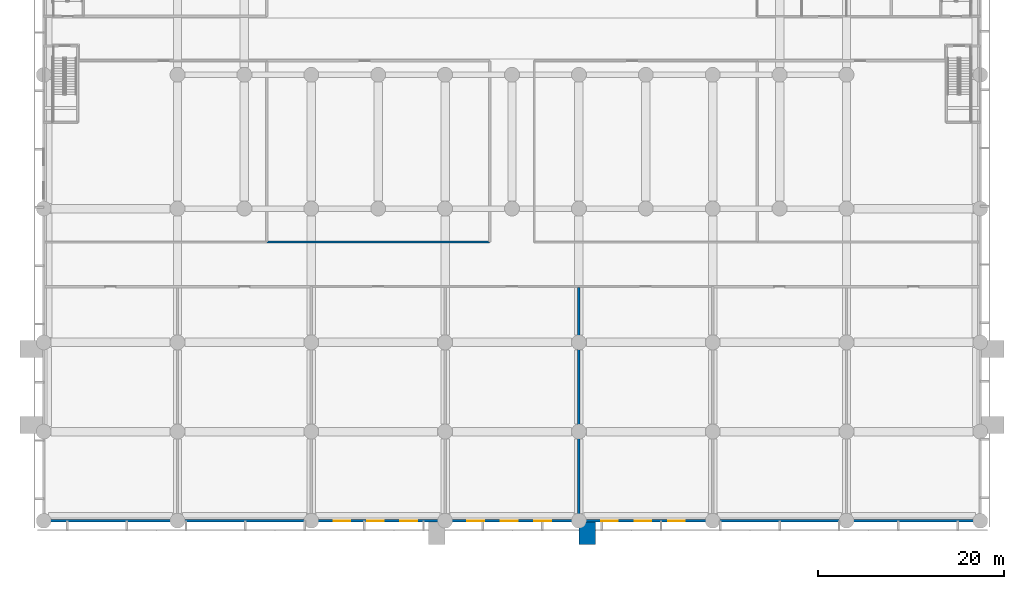
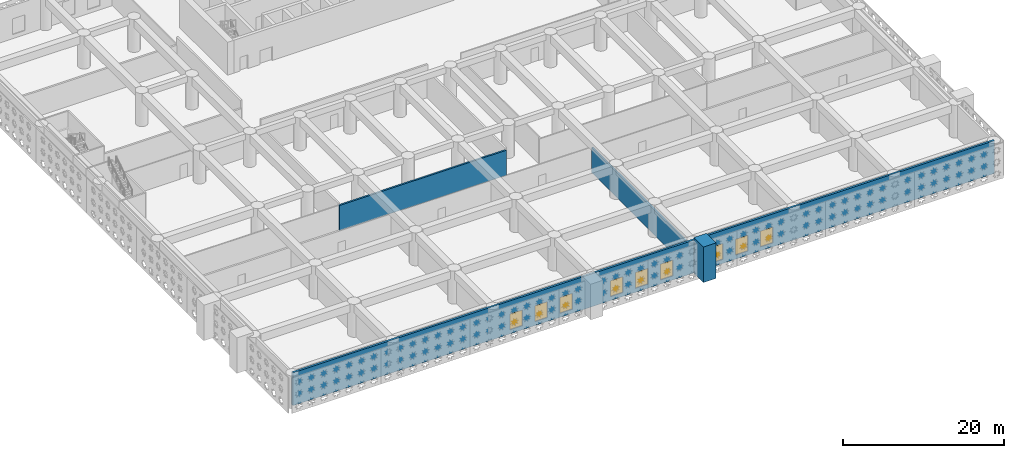
# One storey, part 4 of 30: 9 windows, 4 walls, 9 openings.
"""IFC4 building model written with IfcOpenShell, lengths in metres."""

from ifc_helpers import new_model, si_unit, direction, frame, frame_2d, origin, origin_with_axes, place, context, subcontext, project, spatial, rectangle, extrude, material, layer, layer_set, type_object, element, fill, save


model = new_model("IFC4")

# Units and contexts
model_context = context("Model", 3, precision=1e-05, world=origin(), true_north=direction((0.0, 1.0)))
body_context = subcontext(model_context, "Body", "Model", "MODEL_VIEW")
ifc_project = project(units=[si_unit("LENGTHUNIT", "METRE"), si_unit("AREAUNIT", "SQUARE_METRE"), si_unit("VOLUMEUNIT", "CUBIC_METRE"), si_unit("PLANEANGLEUNIT", "RADIAN"), si_unit("MASSUNIT", "GRAM", prefix="KILO")], contexts=[model_context])

# Site, building, storey
site_placement = place(None, origin())
site = spatial("IfcSite", under=ifc_project, at=site_placement, CompositionType="ELEMENT")
building_placement = place(site_placement, origin())
building = spatial("IfcBuilding", under=site, at=building_placement, Name="Saffron Iwan Residences", CompositionType="ELEMENT")
storey_placement = place(building_placement, frame((0.0, 0.0, 7.800048828125)))
storey = spatial("IfcBuildingStorey", under=building, at=storey_placement, Name="L01", CompositionType="ELEMENT", Elevation=7.800048828125)

# Walls
ifc_material_1 = material(Name="Concrete C40/50", Category="concrete")
ifc_layer_1 = layer(ifc_material_1, 0.25)
ifc_layer_set_1 = layer_set([ifc_layer_1], Name="Concrete C40/50")
wall_type_1 = type_object("IfcWallType", Name="Fire compartment wall 250", PredefinedType="SOLIDWALL", material=ifc_layer_set_1)
wall_1_placement = place(storey_placement, frame((24.0, 30.0, 0.0), z_axis=(0.0, 0.0, 1.0), x_axis=(1.0, 0.0, 0.0)))
element("IfcWall", 1, at=wall_1_placement, inside=storey, type_object=wall_type_1, Name="W-L01-007", PredefinedType="SOLIDWALL", context=body_context, shape_type="SweptSolid", body=[
    extrude(rectangle(XDim=24.0, YDim=0.25, at=frame_2d((12.0, 0.0))), origin(), (0.0, 0.0, 1.0), 3.800048828125),
])
wall_2_placement = place(storey_placement, frame((57.60009765625, 0.14990234375, 0.0), z_axis=(0.0, 0.0, 1.0), x_axis=(0.0, 1.0, 0.0)))
element("IfcWall", 2, at=wall_2_placement, inside=storey, type_object=wall_type_1, Name="W-L01-043", PredefinedType="SOLIDWALL", context=body_context, shape_type="SweptSolid", body=[
    extrude(rectangle(XDim=24.97509765625, YDim=0.25, at=frame_2d((12.487548828125, 0.0))), origin(), (0.0, 0.0, 1.0), 3.800048828125),
])

# Wall, openings, windows
ifc_material_2 = material(Name="Precast concrete C40/50", Category="concrete")
ifc_layer_2 = layer(ifc_material_2, 0.300048828125)
ifc_layer_set_2 = layer_set([ifc_layer_2], Name="Precast concrete C40/50")
wall_type_2 = type_object("IfcWallType", Name="Podium external wall 300", PredefinedType="SOLIDWALL", material=ifc_layer_set_2)
wall_3_placement = place(storey_placement, origin_with_axes())
wall_3 = element("IfcWall", 3, at=wall_3_placement, inside=storey, type_object=wall_type_2, Name="W-L01-001", PredefinedType="SOLIDWALL", context=body_context, shape_type="SweptSolid", body=[
    extrude(rectangle(XDim=100.800048828125, YDim=0.300048828125, at=frame_2d((50.39990234375, 0.0))), origin(), (0.0, 0.0, 1.0), 5.0),
])
opening_1_placement = place(wall_3_placement, frame((31.199951171875, 0.0, 0.60009765625)))
opening_1 = element("IfcOpeningElement", 4, at=opening_1_placement, cuts=wall_3, Name="Opening W7", PredefinedType="OPENING", context=body_context, shape_type="SweptSolid", body=[
    extrude(rectangle(XDim=1.800048828125, YDim=2.39990234375, at=frame_2d((0.89990234375, 1.199951171875))), frame((0.0, 0.16015625, 0.0), z_axis=(0.0, -1.0, 0.0), x_axis=(1.0, 0.0, 0.0)), (0.0, 0.0, 1.0), 0.320068359375),
])
opening_2_placement = place(wall_3_placement, frame((34.800048828125, 0.0, 0.60009765625)))
opening_2 = element("IfcOpeningElement", 5, at=opening_2_placement, cuts=wall_3, Name="Opening W7", PredefinedType="OPENING", context=body_context, shape_type="SweptSolid", body=[
    extrude(rectangle(XDim=1.800048828125, YDim=2.39990234375, at=frame_2d((0.89990234375, 1.199951171875))), frame((0.0, 0.16015625, 0.0), z_axis=(0.0, -1.0, 0.0), x_axis=(1.0, 0.0, 0.0)), (0.0, 0.0, 1.0), 0.320068359375),
])
opening_3_placement = place(wall_3_placement, frame((38.39990234375, 0.0, 0.60009765625)))
opening_3 = element("IfcOpeningElement", 6, at=opening_3_placement, cuts=wall_3, Name="Opening W7", PredefinedType="OPENING", context=body_context, shape_type="SweptSolid", body=[
    extrude(rectangle(XDim=1.800048828125, YDim=2.39990234375, at=frame_2d((0.89990234375, 1.199951171875))), frame((0.0, 0.16015625, 0.0), z_axis=(0.0, -1.0, 0.0), x_axis=(1.0, 0.0, 0.0)), (0.0, 0.0, 1.0), 0.320068359375),
])
opening_4_placement = place(wall_3_placement, frame((45.60009765625, 0.0, 0.60009765625)))
opening_4 = element("IfcOpeningElement", 7, at=opening_4_placement, cuts=wall_3, Name="Opening W7", PredefinedType="OPENING", context=body_context, shape_type="SweptSolid", body=[
    extrude(rectangle(XDim=1.800048828125, YDim=2.39990234375, at=frame_2d((0.89990234375, 1.199951171875))), frame((0.0, 0.16015625, 0.0), z_axis=(0.0, -1.0, 0.0), x_axis=(1.0, 0.0, 0.0)), (0.0, 0.0, 1.0), 0.320068359375),
])
opening_5_placement = place(wall_3_placement, frame((49.199951171875, 0.0, 0.60009765625)))
opening_5 = element("IfcOpeningElement", 8, at=opening_5_placement, cuts=wall_3, Name="Opening W7", PredefinedType="OPENING", context=body_context, shape_type="SweptSolid", body=[
    extrude(rectangle(XDim=1.800048828125, YDim=2.39990234375, at=frame_2d((0.89990234375, 1.199951171875))), frame((0.0, 0.16015625, 0.0), z_axis=(0.0, -1.0, 0.0), x_axis=(1.0, 0.0, 0.0)), (0.0, 0.0, 1.0), 0.320068359375),
])
opening_6_placement = place(wall_3_placement, frame((52.800048828125, 0.0, 0.60009765625)))
opening_6 = element("IfcOpeningElement", 9, at=opening_6_placement, cuts=wall_3, Name="Opening W7", PredefinedType="OPENING", context=body_context, shape_type="SweptSolid", body=[
    extrude(rectangle(XDim=1.800048828125, YDim=2.39990234375, at=frame_2d((0.89990234375, 1.199951171875))), frame((0.0, 0.16015625, 0.0), z_axis=(0.0, -1.0, 0.0), x_axis=(1.0, 0.0, 0.0)), (0.0, 0.0, 1.0), 0.320068359375),
])
opening_7_placement = place(wall_3_placement, frame((60.0, 0.0, 0.60009765625)))
opening_7 = element("IfcOpeningElement", 10, at=opening_7_placement, cuts=wall_3, Name="Opening W7", PredefinedType="OPENING", context=body_context, shape_type="SweptSolid", body=[
    extrude(rectangle(XDim=1.800048828125, YDim=2.39990234375, at=frame_2d((0.89990234375, 1.199951171875))), frame((0.0, 0.16015625, 0.0), z_axis=(0.0, -1.0, 0.0), x_axis=(1.0, 0.0, 0.0)), (0.0, 0.0, 1.0), 0.320068359375),
])
opening_8_placement = place(wall_3_placement, frame((63.60009765625, 0.0, 0.60009765625)))
opening_8 = element("IfcOpeningElement", 11, at=opening_8_placement, cuts=wall_3, Name="Opening W7", PredefinedType="OPENING", context=body_context, shape_type="SweptSolid", body=[
    extrude(rectangle(XDim=1.800048828125, YDim=2.39990234375, at=frame_2d((0.89990234375, 1.199951171875))), frame((0.0, 0.16015625, 0.0), z_axis=(0.0, -1.0, 0.0), x_axis=(1.0, 0.0, 0.0)), (0.0, 0.0, 1.0), 0.320068359375),
])
opening_9_placement = place(wall_3_placement, frame((67.199951171875, 0.0, 0.60009765625)))
opening_9 = element("IfcOpeningElement", 12, at=opening_9_placement, cuts=wall_3, Name="Opening W7", PredefinedType="OPENING", context=body_context, shape_type="SweptSolid", body=[
    extrude(rectangle(XDim=1.800048828125, YDim=2.39990234375, at=frame_2d((0.89990234375, 1.199951171875))), frame((0.0, 0.16015625, 0.0), z_axis=(0.0, -1.0, 0.0), x_axis=(1.0, 0.0, 0.0)), (0.0, 0.0, 1.0), 0.320068359375),
])
ifc_material_3 = material(Name="Clear glass, laminated double glazed", Category="glass")
window_type = type_object("IfcWindowType", Name="WINDOW 1800 x 2400 PODIUM", PartitioningType="DOUBLE_PANEL_VERTICAL", PredefinedType="WINDOW", material=ifc_material_3)
window_1_placement = place(opening_1_placement, origin())
window_1 = element("IfcWindow", 13, at=window_1_placement, inside=storey, type_object=window_type, Name="Window L01 W-L01-001.0", OverallHeight=2.39990234375, OverallWidth=1.800048828125, PartitioningType="DOUBLE_PANEL_VERTICAL", PredefinedType="WINDOW", context=body_context, shape_type="SweptSolid", body=[
    extrude(rectangle(XDim=1.800048828125, YDim=2.39990234375, at=frame_2d((0.89990234375, 1.199951171875))), frame((0.0, 0.030029296875, 0.0), z_axis=(0.0, -1.0, 0.0), x_axis=(1.0, 0.0, 0.0)), (0.0, 0.0, 1.0), 0.06005859375),
])
fill(opening_1, window_1)
window_2_placement = place(opening_2_placement, origin())
window_2 = element("IfcWindow", 14, at=window_2_placement, inside=storey, type_object=window_type, Name="Window L01 W-L01-001.1", OverallHeight=2.39990234375, OverallWidth=1.800048828125, PartitioningType="DOUBLE_PANEL_VERTICAL", PredefinedType="WINDOW", context=body_context, shape_type="SweptSolid", body=[
    extrude(rectangle(XDim=1.800048828125, YDim=2.39990234375, at=frame_2d((0.89990234375, 1.199951171875))), frame((0.0, 0.030029296875, 0.0), z_axis=(0.0, -1.0, 0.0), x_axis=(1.0, 0.0, 0.0)), (0.0, 0.0, 1.0), 0.06005859375),
])
fill(opening_2, window_2)
window_3_placement = place(opening_3_placement, origin())
window_3 = element("IfcWindow", 15, at=window_3_placement, inside=storey, type_object=window_type, Name="Window L01 W-L01-001.2", OverallHeight=2.39990234375, OverallWidth=1.800048828125, PartitioningType="DOUBLE_PANEL_VERTICAL", PredefinedType="WINDOW", context=body_context, shape_type="SweptSolid", body=[
    extrude(rectangle(XDim=1.800048828125, YDim=2.39990234375, at=frame_2d((0.89990234375, 1.199951171875))), frame((0.0, 0.030029296875, 0.0), z_axis=(0.0, -1.0, 0.0), x_axis=(1.0, 0.0, 0.0)), (0.0, 0.0, 1.0), 0.06005859375),
])
fill(opening_3, window_3)
window_4_placement = place(opening_4_placement, origin())
window_4 = element("IfcWindow", 16, at=window_4_placement, inside=storey, type_object=window_type, Name="Window L01 W-L01-001.3", OverallHeight=2.39990234375, OverallWidth=1.800048828125, PartitioningType="DOUBLE_PANEL_VERTICAL", PredefinedType="WINDOW", context=body_context, shape_type="SweptSolid", body=[
    extrude(rectangle(XDim=1.800048828125, YDim=2.39990234375, at=frame_2d((0.89990234375, 1.199951171875))), frame((0.0, 0.030029296875, 0.0), z_axis=(0.0, -1.0, 0.0), x_axis=(1.0, 0.0, 0.0)), (0.0, 0.0, 1.0), 0.06005859375),
])
fill(opening_4, window_4)
window_5_placement = place(opening_5_placement, origin())
window_5 = element("IfcWindow", 17, at=window_5_placement, inside=storey, type_object=window_type, Name="Window L01 W-L01-001.4", OverallHeight=2.39990234375, OverallWidth=1.800048828125, PartitioningType="DOUBLE_PANEL_VERTICAL", PredefinedType="WINDOW", context=body_context, shape_type="SweptSolid", body=[
    extrude(rectangle(XDim=1.800048828125, YDim=2.39990234375, at=frame_2d((0.89990234375, 1.199951171875))), frame((0.0, 0.030029296875, 0.0), z_axis=(0.0, -1.0, 0.0), x_axis=(1.0, 0.0, 0.0)), (0.0, 0.0, 1.0), 0.06005859375),
])
fill(opening_5, window_5)
window_6_placement = place(opening_6_placement, origin())
window_6 = element("IfcWindow", 18, at=window_6_placement, inside=storey, type_object=window_type, Name="Window L01 W-L01-001.5", OverallHeight=2.39990234375, OverallWidth=1.800048828125, PartitioningType="DOUBLE_PANEL_VERTICAL", PredefinedType="WINDOW", context=body_context, shape_type="SweptSolid", body=[
    extrude(rectangle(XDim=1.800048828125, YDim=2.39990234375, at=frame_2d((0.89990234375, 1.199951171875))), frame((0.0, 0.030029296875, 0.0), z_axis=(0.0, -1.0, 0.0), x_axis=(1.0, 0.0, 0.0)), (0.0, 0.0, 1.0), 0.06005859375),
])
fill(opening_6, window_6)
window_7_placement = place(opening_7_placement, origin())
window_7 = element("IfcWindow", 19, at=window_7_placement, inside=storey, type_object=window_type, Name="Window L01 W-L01-001.6", OverallHeight=2.39990234375, OverallWidth=1.800048828125, PartitioningType="DOUBLE_PANEL_VERTICAL", PredefinedType="WINDOW", context=body_context, shape_type="SweptSolid", body=[
    extrude(rectangle(XDim=1.800048828125, YDim=2.39990234375, at=frame_2d((0.89990234375, 1.199951171875))), frame((0.0, 0.030029296875, 0.0), z_axis=(0.0, -1.0, 0.0), x_axis=(1.0, 0.0, 0.0)), (0.0, 0.0, 1.0), 0.06005859375),
])
fill(opening_7, window_7)
window_8_placement = place(opening_8_placement, origin())
window_8 = element("IfcWindow", 20, at=window_8_placement, inside=storey, type_object=window_type, Name="Window L01 W-L01-001.7", OverallHeight=2.39990234375, OverallWidth=1.800048828125, PartitioningType="DOUBLE_PANEL_VERTICAL", PredefinedType="WINDOW", context=body_context, shape_type="SweptSolid", body=[
    extrude(rectangle(XDim=1.800048828125, YDim=2.39990234375, at=frame_2d((0.89990234375, 1.199951171875))), frame((0.0, 0.030029296875, 0.0), z_axis=(0.0, -1.0, 0.0), x_axis=(1.0, 0.0, 0.0)), (0.0, 0.0, 1.0), 0.06005859375),
])
fill(opening_8, window_8)
window_9_placement = place(opening_9_placement, origin())
window_9 = element("IfcWindow", 21, at=window_9_placement, inside=storey, type_object=window_type, Name="Window L01 W-L01-001.8", OverallHeight=2.39990234375, OverallWidth=1.800048828125, PartitioningType="DOUBLE_PANEL_VERTICAL", PredefinedType="WINDOW", context=body_context, shape_type="SweptSolid", body=[
    extrude(rectangle(XDim=1.800048828125, YDim=2.39990234375, at=frame_2d((0.89990234375, 1.199951171875))), frame((0.0, 0.030029296875, 0.0), z_axis=(0.0, -1.0, 0.0), x_axis=(1.0, 0.0, 0.0)), (0.0, 0.0, 1.0), 0.06005859375),
])
fill(opening_9, window_9)

# Wall
ifc_material_4 = material(Name="Terracotta coloured precast concrete C40/50", Category="masonry")
ifc_layer_3 = layer(ifc_material_4, 1.800048828125)
ifc_layer_set_3 = layer_set([ifc_layer_3], Name="Terracotta coloured precast concrete C40/50")
wall_type_3 = type_object("IfcWallType", Name="Portal pier, precast concrete 1800", PredefinedType="SOLIDWALL", material=ifc_layer_set_3)
wall_4_placement = place(storey_placement, frame((58.5, -2.550048828125, 0.0), z_axis=(0.0, 0.0, 1.0), x_axis=(0.0, 1.0, 0.0)))
element("IfcWall", 22, at=wall_4_placement, inside=storey, type_object=wall_type_3, Name="Portal pier E L01", PredefinedType="SOLIDWALL", context=body_context, shape_type="SweptSolid", body=[
    extrude(rectangle(XDim=2.400146484375, YDim=1.800048828125, at=frame_2d((1.2001953125, 0.0))), origin(), (0.0, 0.0, 1.0), 5.39990234375),
])

save(model, "model.ifc")
